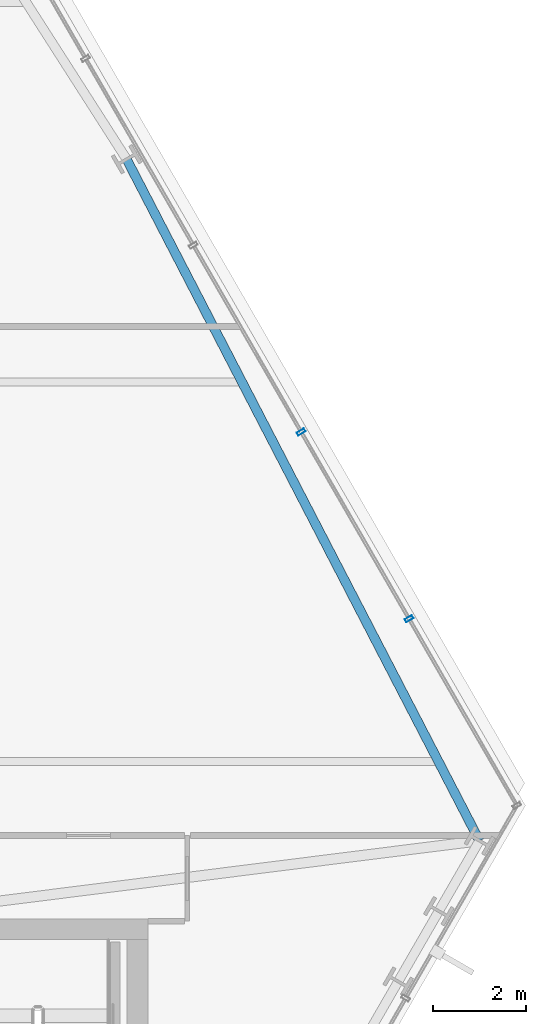
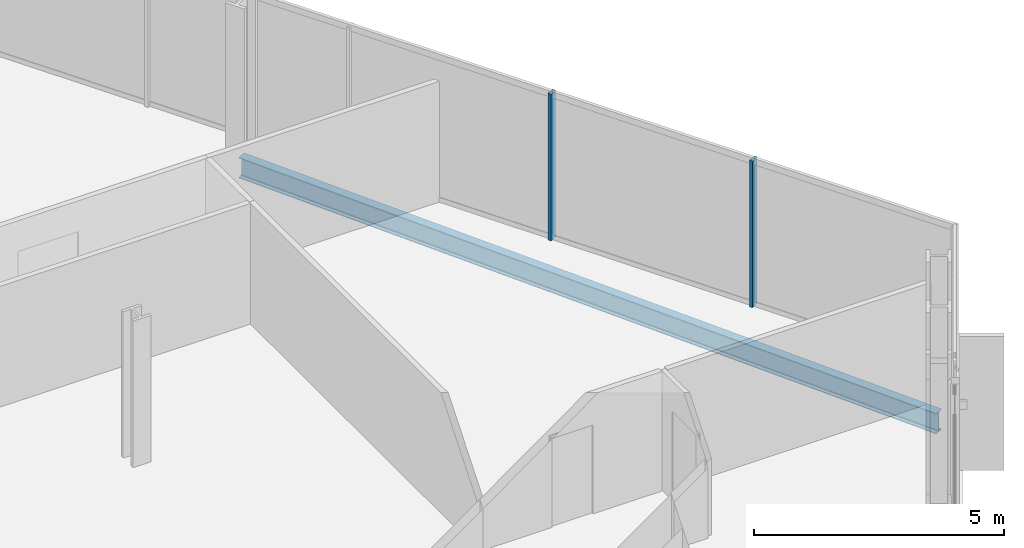
# One storey, part 19 of 33: 2 members, 1 beam, 1 element without a shape of its own.
"""IFC4 building model written with IfcOpenShell, lengths in metres."""

import ifcopenshell
import ifcopenshell.guid

model = None  # the IFC model being written
_history = None  # IfcOwnerHistory: only IFC2X3 demands one
_inside = {}  # id of a spatial element -> (the spatial element, [elements in it])
_under = {}  # id of a project, library or spatial element -> (it, [spatial elements below it])
_declared = {}  # id of a project -> (the project, [libraries it declares])
_typed = {}  # id of a type object -> (the type object, [elements of that type])
_made_of = {}  # id of a material, layer set ... -> (it, [elements and type objects made of it])


def new_model(schema):
    """Start an empty IFC model of exactly this schema.

    Asked for "IFC4X3", IfcOpenShell would pick the latest addendum, in which some entities
    have other attributes; the version numbers below select the first issue.
    IFC2X3 requires an IfcOwnerHistory on every rooted entity: one is made here for all.
    """
    global model, _history
    if schema == "IFC4X3":
        model = ifcopenshell.file(schema_version=(4, 3, 0, 0))
    else:
        model = ifcopenshell.file(schema=schema)
    _inside.clear()
    _under.clear()
    _declared.clear()
    _typed.clear()
    _made_of.clear()
    _history = None
    if model.schema == "IFC2X3":
        org = make("IfcOrganization", Name="unknown")
        user = make(
            "IfcPersonAndOrganization",
            ThePerson=make("IfcPerson", FamilyName="unknown"),
            TheOrganization=org,
        )
        app = make(
            "IfcApplication",
            ApplicationDeveloper=org,
            Version="unknown",
            ApplicationFullName="unknown",
            ApplicationIdentifier="unknown",
        )
        _history = make(
            "IfcOwnerHistory",
            OwningUser=user,
            OwningApplication=app,
            ChangeAction="ADDED",
            CreationDate=0,
        )
    return model


def make(cls, **values):
    """One entity of the class cls with the attributes given. An attribute that is None is left unset."""
    return model.create_entity(
        cls, **{name: value for name, value in values.items() if value is not None}
    )


def rooted(cls, **values):
    """An entity with a GlobalId (a new one), such as an element, a storey or a relation."""
    return make(cls, GlobalId=ifcopenshell.guid.new(), OwnerHistory=_history, **values)


def si_unit(unit_type, name, prefix=None):
    """IfcSIUnit, for example si_unit("LENGTHUNIT", "METRE", prefix="MILLI")."""
    return make("IfcSIUnit", UnitType=unit_type, Prefix=prefix, Name=name)


def assignment(units):
    """IfcUnitAssignment: the units of a project."""
    return None if units is None else make("IfcUnitAssignment", Units=units)


def point(xyz):
    """IfcCartesianPoint."""
    return None if xyz is None else make("IfcCartesianPoint", Coordinates=xyz)


def direction(xyz):
    """IfcDirection."""
    return None if xyz is None else make("IfcDirection", DirectionRatios=xyz)


def frame(location, z_axis=None, x_axis=None):
    """IfcAxis2Placement3D, a coordinate frame: its origin and axes. An axis left out is left unset."""
    return make(
        "IfcAxis2Placement3D",
        Location=point(location),
        Axis=direction(z_axis),
        RefDirection=direction(x_axis),
    )


def frame_2d(location, x_axis=None):
    """IfcAxis2Placement2D, a coordinate frame in the plane: its origin and x axis."""
    return make(
        "IfcAxis2Placement2D", Location=point(location), RefDirection=direction(x_axis)
    )


def origin():
    """The frame at (0, 0, 0) with its axes left unset."""
    return frame((0.0, 0.0, 0.0))


def origin_2d():
    """The frame at (0, 0) in the plane with its x axis left unset."""
    return frame_2d((0.0, 0.0))


def place(relative_to, where):
    """IfcLocalPlacement: puts the frame where relative to a parent placement (None: the world)."""
    return make(
        "IfcLocalPlacement", PlacementRelTo=relative_to, RelativePlacement=where
    )


def context(
    kind, dimensions, precision=None, world=None, true_north=None, identifier=None
):
    """IfcGeometricRepresentationContext, for example the 3D "Model" context."""
    return make(
        "IfcGeometricRepresentationContext",
        ContextIdentifier=identifier,
        ContextType=kind,
        CoordinateSpaceDimension=dimensions,
        Precision=precision,
        WorldCoordinateSystem=world,
        TrueNorth=true_north,
    )


def subcontext(parent, identifier, kind, view, scale=None):
    """IfcGeometricRepresentationSubContext, for example "Body" below "Model"."""
    return make(
        "IfcGeometricRepresentationSubContext",
        ContextIdentifier=identifier,
        ContextType=kind,
        ParentContext=parent,
        TargetScale=scale,
        TargetView=view,
    )


def project(units=None, contexts=None):
    """IfcProject with its units and contexts."""
    return rooted(
        "IfcProject",
        Name="project",
        RepresentationContexts=contexts,
        UnitsInContext=assignment(units),
    )


def spatial(cls, under=None, at=None, **own):
    """A site, building, storey or space (cls), placed at a placement, below another one or the project."""
    s = rooted(cls, ObjectPlacement=at, **own)
    if under is not None:
        _under.setdefault(under.id(), (under, []))[1].append(s)
    return s


def profile(cls, at=None, kind="AREA", **sizes):
    """A parametric profile (cls). Its sizes go by their IFC names, for example OverallWidth=200.0."""
    return make(cls, ProfileType=kind, Position=at, **sizes)


def hollow_rectangle(**sizes):
    """IfcRectangleHollowProfileDef."""
    return profile("IfcRectangleHollowProfileDef", **sizes)


def i_section(**sizes):
    """IfcIShapeProfileDef."""
    return profile("IfcIShapeProfileDef", **sizes)


def extrude(swept, where, along, depth):
    """IfcExtrudedAreaSolid: the profile swept, set in the frame where, extruded along a direction by depth."""
    return make(
        "IfcExtrudedAreaSolid",
        SweptArea=swept,
        Position=where,
        ExtrudedDirection=direction(along),
        Depth=depth,
    )


def shape(context_of_items, identifier, shape_type, items):
    """IfcShapeRepresentation: the items that make up one representation, for example the "Body"."""
    return make(
        "IfcShapeRepresentation",
        ContextOfItems=context_of_items,
        RepresentationIdentifier=identifier,
        RepresentationType=shape_type,
        Items=items,
    )


def material(Name=None, Category=None):
    """IfcMaterial."""
    return make("IfcMaterial", Name=Name, Category=Category)


def layer(
    of_material, thickness, ventilated=None, Name=None, Category=None, Priority=None
):
    """IfcMaterialLayer: one layer of a wall or slab, of a material (None: an air gap)."""
    return make(
        "IfcMaterialLayer",
        Material=of_material,
        LayerThickness=thickness,
        IsVentilated=ventilated,
        Name=Name,
        Category=Category,
        Priority=Priority,
    )


def layer_set(layers, Name=None):
    """IfcMaterialLayerSet."""
    return make("IfcMaterialLayerSet", MaterialLayers=layers, LayerSetName=Name)


def material_profile(
    of_material, cross_section, Name=None, Category=None, Priority=None
):
    """IfcMaterialProfile: a cross section and its material."""
    return make(
        "IfcMaterialProfile",
        Name=Name,
        Material=of_material,
        Profile=cross_section,
        Priority=Priority,
        Category=Category,
    )


def profile_set(profiles, Name=None, composite=None):
    """IfcMaterialProfileSet."""
    return make(
        "IfcMaterialProfileSet",
        Name=Name,
        MaterialProfiles=profiles,
        CompositeProfile=composite,
    )


def made_of(thing, what):
    """Note that an element or type object is made of a material, layer set ...; save() writes the relation."""
    if what is not None:
        _made_of.setdefault(what.id(), (what, []))[1].append(thing)
    return thing


def type_object(cls, material=None, **own):
    """A type object (cls), such as IfcWallType, which elements share."""
    return made_of(rooted(cls, **own), material)


def element(
    cls,
    number,
    at=None,
    inside=None,
    cuts=None,
    type_object=None,
    material=None,
    context=None,
    identifier="Body",
    shape_type=None,
    held_by="IfcProductDefinitionShape",
    body=None,
    shapes=None,
    **own,
):
    """One element of the class cls, such as IfcWall. Its Tag is "e" and its number.

    at: its placement. inside: the storey or other place that contains it. cuts: it is an
    opening in that element (IfcRelVoidsElement). A single representation is given by context,
    identifier, shape_type and body (its items); several are given by shapes. held_by: the class
    of the entity that holds the representations. save() writes the other relations.
    """
    e = rooted(cls, Tag="e%d" % number, ObjectPlacement=at, **own)
    if body is not None:
        shapes = [shape(context, identifier, shape_type, body)]
    if shapes is not None:
        e.Representation = make(held_by, Representations=shapes)
    if inside is not None:
        _inside.setdefault(inside.id(), (inside, []))[1].append(e)
    if cuts is not None:
        rooted(
            "IfcRelVoidsElement", RelatingBuildingElement=cuts, RelatedOpeningElement=e
        )
    if type_object is not None:
        _typed.setdefault(type_object.id(), (type_object, []))[1].append(e)
    return made_of(e, material)


def aggregate(whole, parts):
    """IfcRelAggregates: a whole, such as a stair, and the parts it consists of."""
    return rooted("IfcRelAggregates", RelatingObject=whole, RelatedObjects=parts)


def save(model, path):
    """Write the relations noted so far, then the file.

    IfcRelAggregates (storeys below a building ...), IfcRelContainedInSpatialStructure (elements
    in a storey), IfcRelDefinesByType, IfcRelAssociatesMaterial and IfcRelDeclares: one each for
    every whole, place, type object, material and project.
    """
    for whole, parts in _under.values():
        aggregate(whole, parts)
    for where, things in _inside.values():
        rooted(
            "IfcRelContainedInSpatialStructure",
            RelatedElements=things,
            RelatingStructure=where,
        )
    for kind, things in _typed.values():
        rooted("IfcRelDefinesByType", RelatedObjects=things, RelatingType=kind)
    for what, things in _made_of.values():
        rooted("IfcRelAssociatesMaterial", RelatedObjects=things, RelatingMaterial=what)
    for by, libraries in _declared.values():
        rooted("IfcRelDeclares", RelatingContext=by, RelatedDefinitions=libraries)
    model.write(path)


model = new_model("IFC4")

# Units and contexts
model_context = context("Model", 3, precision=1e-05, world=origin(), true_north=direction((0.0, 1.0)))
body_context = subcontext(model_context, "Body", "Model", "MODEL_VIEW")
ifc_project = project(units=[si_unit("LENGTHUNIT", "METRE"), si_unit("AREAUNIT", "SQUARE_METRE"), si_unit("VOLUMEUNIT", "CUBIC_METRE"), si_unit("PLANEANGLEUNIT", "RADIAN"), si_unit("MASSUNIT", "GRAM", prefix="KILO")], contexts=[model_context])

# Site, building, storey
site_placement = place(None, origin())
site = spatial("IfcSite", under=ifc_project, at=site_placement, CompositionType="ELEMENT")
building_placement = place(site_placement, origin())
building = spatial("IfcBuilding", under=site, at=building_placement, Name="Ndaravel Arena Tower", CompositionType="ELEMENT")
storey_placement = place(building_placement, frame((0.0, 0.0, 81.60009765625)))
storey = spatial("IfcBuildingStorey", under=building, at=storey_placement, Name="L18", CompositionType="ELEMENT", Elevation=81.60009765625)

# Beam
ifc_material_1 = material(Name="Steel S355", Category="steel")
ifc_material_profile_1 = material_profile(ifc_material_1, i_section(OverallWidth=0.199951171875, OverallDepth=0.5, WebThickness=0.01025390625, FlangeThickness=0.01611328125, FilletRadius=0.02099609375, at=origin_2d()), Name="IPE 500")
ifc_profile_set_1 = profile_set([ifc_material_profile_1], Name="Steel S355")
beam_type = type_object("IfcBeamType", Name="BM-SPAN-IPE500", PredefinedType="SPANDREL", material=ifc_profile_set_1)
beam_placement = place(storey_placement, frame((64.710205078125, 16.887451171875, -0.47021484375), z_axis=(-0.459755761058, 0.888045404342, 0.0), x_axis=(-0.888045404342, -0.459755761058, 0.0)))
element("IfcBeam", 1, at=beam_placement, inside=storey, type_object=beam_type, Name="L18 Perimeter Spandrel Beam SP-09", PredefinedType="SPANDREL", context=body_context, shape_type="SweptSolid", body=[
    extrude(i_section(OverallWidth=0.199951171875, OverallDepth=0.5, WebThickness=0.01025390625, FlangeThickness=0.01611328125, FilletRadius=0.02099609375, at=origin_2d()), origin(), (0.0, 0.0, 1.0), 16.58056640625),
])

# Curtain wall, members
ifc_material_2 = material(Name="Aluminium", Category="aluminium")
ifc_layer = layer(ifc_material_2, 0.179931640625)
ifc_layer_set = layer_set([ifc_layer], Name="Aluminium")
curtain_wall_type = type_object("IfcCurtainWallType", Name="CW-SYS-03", PredefinedType="NOTDEFINED", material=ifc_layer_set)
curtain_wall_placement = place(storey_placement, origin())
curtain_wall = element("IfcCurtainWall", 2, at=curtain_wall_placement, inside=storey, type_object=curtain_wall_type, Name="L18 Faceted Crystal Curtain Wall CW-L18-E03", PredefinedType="NOTDEFINED")
ifc_material_3 = material(Name="Aluminium", Category="aluminium")
ifc_material_profile_2 = material_profile(ifc_material_3, hollow_rectangle(XDim=0.074951171875, YDim=0.179931640625, WallThickness=0.00390625, at=origin_2d()), Name="CW MULLION 75x180x4")
ifc_profile_set_2 = profile_set([ifc_material_profile_2], Name="Aluminium")
member_type = type_object("IfcMemberType", Name="MEM-CW-MUL180", PredefinedType="MULLION", material=ifc_profile_set_2)
member_1_placement = place(storey_placement, frame((63.18896484375, 21.683349609375, 0.0), z_axis=(0.0, 0.0, 1.0), x_axis=(-0.5, 0.866025403784, 0.0)))
member_1 = element("IfcMember", 3, at=member_1_placement, type_object=member_type, Name="CW-L18-E03 Mullion 01", PredefinedType="MULLION", context=body_context, shape_type="SweptSolid", body=[
    extrude(hollow_rectangle(XDim=0.074951171875, YDim=0.179931640625, WallThickness=0.00390625, at=origin_2d()), origin(), (0.0, 0.0, 1.0), 3.579833984375),
])
member_2_placement = place(storey_placement, frame((60.859130859375, 25.71875, 0.0), z_axis=(0.0, 0.0, 1.0), x_axis=(-0.5, 0.866025403784, 0.0)))
member_2 = element("IfcMember", 4, at=member_2_placement, type_object=member_type, Name="CW-L18-E03 Mullion 02", PredefinedType="MULLION", context=body_context, shape_type="SweptSolid", body=[
    extrude(hollow_rectangle(XDim=0.074951171875, YDim=0.179931640625, WallThickness=0.00390625, at=origin_2d()), origin(), (0.0, 0.0, 1.0), 3.579833984375),
])
aggregate(curtain_wall, [member_1, member_2])

save(model, "model.ifc")
